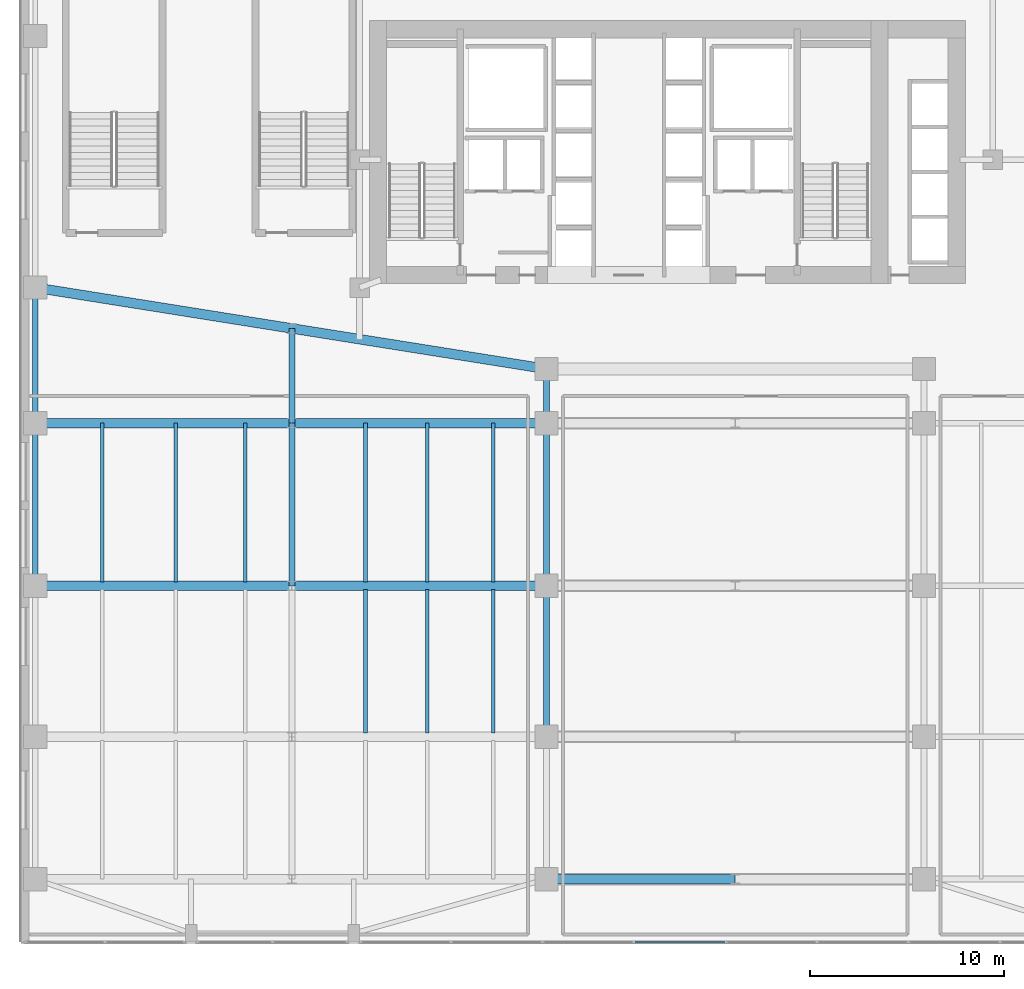
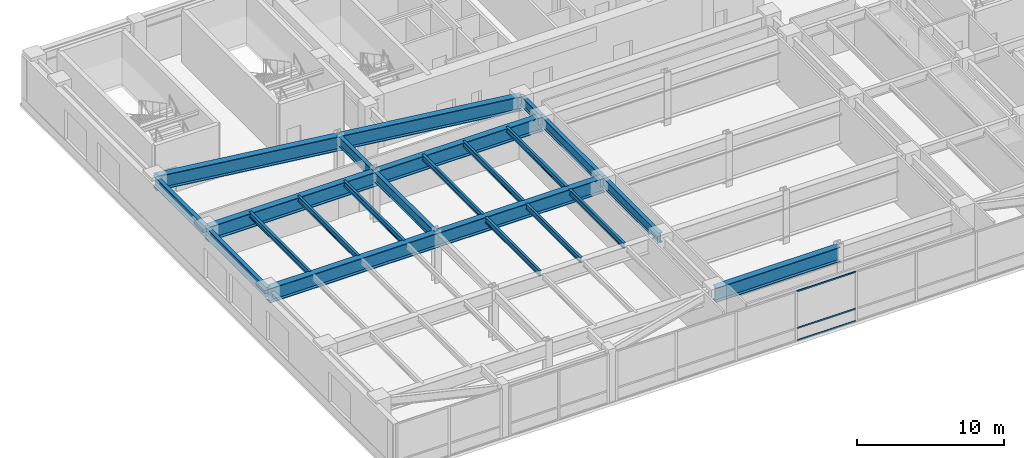
# One storey, part 8 of 27: 20 beams, 3 members, 1 element without a shape of its own.
"""IFC4 building model written with IfcOpenShell, lengths in metres."""

from ifc_helpers import new_model, si_unit, direction, frame, origin, origin_2d, place, context, subcontext, project, spatial, hollow_rectangle, i_section, extrude, source, transform, mapped, material, layer, layer_set, material_profile, profile_set, type_object, type_shapes, element, aggregate, save


model = new_model("IFC4")

# Units and contexts
model_context = context("Model", 3, precision=1e-05, world=origin(), true_north=direction((0.0, 1.0)))
body_context = subcontext(model_context, "Body", "Model", "MODEL_VIEW")
ifc_project = project(units=[si_unit("LENGTHUNIT", "METRE"), si_unit("AREAUNIT", "SQUARE_METRE"), si_unit("VOLUMEUNIT", "CUBIC_METRE"), si_unit("PLANEANGLEUNIT", "RADIAN"), si_unit("MASSUNIT", "GRAM", prefix="KILO")], contexts=[model_context])

# Site, building, storey
site_placement = place(None, origin())
site = spatial("IfcSite", under=ifc_project, at=site_placement, CompositionType="ELEMENT")
building_placement = place(site_placement, origin())
building = spatial("IfcBuilding", under=site, at=building_placement, Name="Tolvann Quenvar Hotel", CompositionType="ELEMENT")
storey_placement = place(building_placement, frame((0.0, 0.0, 22.39990234375)))
storey = spatial("IfcBuildingStorey", under=building, at=storey_placement, Name="L04", CompositionType="ELEMENT", Elevation=22.39990234375)

# Beams
ifc_material_1 = material(Name="Steel Grade 350", Category="steel")
ifc_material_profile_1 = material_profile(ifc_material_1, i_section(OverallWidth=0.300048828125, OverallDepth=0.81591796875, WebThickness=0.010009765625, FlangeThickness=0.028076171875, at=origin_2d()), Name="800WB192")
ifc_profile_set_1 = profile_set([ifc_material_profile_1], Name="Steel Grade 350")
beam_type_1 = type_object("IfcBeamType", Name="BM_GIRD_800WB192", PredefinedType="BEAM", material=ifc_profile_set_1)
shared_shape_1 = source(origin(), body_context, "Body", "SweptSolid", [
    extrude(i_section(OverallWidth=0.300048828125, OverallDepth=0.81591796875, WebThickness=0.010009765625, FlangeThickness=0.028076171875, at=origin_2d()), origin(), (0.0, 0.0, 1.0), 7.800048828125),
])
beam_1_placement = place(storey_placement, frame((18.75, 8.199951171875, 3.732177734375), z_axis=(0.0, 1.0, 0.0), x_axis=(-1.0, 0.0, 0.0)))
element("IfcBeam", 1, at=beam_1_placement, inside=storey, type_object=beam_type_1, Name="BM-L04-NS-APW-1", PredefinedType="BEAM", context=body_context, shape_type="MappedRepresentation", body=[
    mapped(shared_shape_1, transform((0.0, 0.0, 0.0), x_axis=(1.0, 0.0, 0.0), y_axis=(0.0, 1.0, 0.0), z_axis=(0.0, 0.0, 1.0), scale=1.0)),
])
shared_shape_2 = source(origin(), body_context, "Body", "SweptSolid", [
    extrude(i_section(OverallWidth=0.300048828125, OverallDepth=0.81591796875, WebThickness=0.010009765625, FlangeThickness=0.028076171875, at=origin_2d()), origin(), (0.0, 0.0, 1.0), 8.39990234375),
])
for number, where, z_axis, x_axis, name in (
    (2, (5.60009765625, 16.0, 3.732177734375), (0.0, 1.0, 0.0), (-1.0, 0.0, 0.0), "BM-L04-NS-PBAL-2"),
    (3, (-7.64990234375, 16.0, 3.732177734375), (0.0, 1.0, 0.0), (-1.0, 0.0, 0.0), "BM-L04-NS-A-2"),
    (4, (18.75, 16.0, 3.732177734375), (0.0, 1.0, 0.0), (-1.0, 0.0, 0.0), "BM-L04-NS-APW-2"),
):
    element("IfcBeam", number, at=place(storey_placement, frame(where, z_axis=z_axis, x_axis=x_axis)), inside=storey, type_object=beam_type_1, Name=name, PredefinedType="BEAM", context=body_context, shape_type="MappedRepresentation", body=[
        mapped(shared_shape_2, transform((0.0, 0.0, 0.0), x_axis=(1.0, 0.0, 0.0), y_axis=(0.0, 1.0, 0.0), z_axis=(0.0, 0.0, 1.0), scale=1.0)),
    ])
shared_shape_3 = source(origin(), body_context, "Body", "SweptSolid", [
    extrude(i_section(OverallWidth=0.300048828125, OverallDepth=0.81591796875, WebThickness=0.010009765625, FlangeThickness=0.028076171875, at=origin_2d()), origin(), (0.0, 0.0, 1.0), 2.800048828125),
])
beam_2_placement = place(storey_placement, frame((18.75, 24.39990234375, 3.732177734375), z_axis=(0.0, 1.0, 0.0), x_axis=(-1.0, 0.0, 0.0)))
element("IfcBeam", 5, at=beam_2_placement, inside=storey, type_object=beam_type_1, Name="BM-L04-NS-APW-3", PredefinedType="BEAM", context=body_context, shape_type="MappedRepresentation", body=[
    mapped(shared_shape_3, transform((0.0, 0.0, 0.0), x_axis=(1.0, 0.0, 0.0), y_axis=(0.0, 1.0, 0.0), z_axis=(0.0, 0.0, 1.0), scale=1.0)),
])
ifc_material_profile_2 = material_profile(ifc_material_1, i_section(OverallWidth=0.5, OverallDepth=1.199951171875, WebThickness=0.01611328125, FlangeThickness=0.0400390625, at=origin_2d()), Name="1200WB455")
ifc_profile_set_2 = profile_set([ifc_material_profile_2], Name="Steel Grade 350")
beam_type_2 = type_object("IfcBeamType", Name="BM_TG_1200WB455", PredefinedType="USERDEFINED", material=ifc_profile_set_2)
shared_shape_4 = source(origin(), body_context, "Body", "SweptSolid", [
    extrude(i_section(OverallWidth=0.5, OverallDepth=1.199951171875, WebThickness=0.01611328125, FlangeThickness=0.0400390625, at=origin_2d()), origin(), (0.0, 0.0, 1.0), 9.75),
])
beam_3_placement = place(storey_placement, frame((18.75, 0.85009765625, 3.5400390625), z_axis=(1.0, 0.0, 0.0), x_axis=(0.0, 1.0, 0.0)))
element("IfcBeam", 6, at=beam_3_placement, inside=storey, type_object=beam_type_2, Name="BM-L04-ATIE-1A", ObjectType="TRANSFER GIRDER", PredefinedType="USERDEFINED", context=body_context, shape_type="MappedRepresentation", body=[
    mapped(shared_shape_4, transform((0.0, 0.0, 0.0), x_axis=(1.0, 0.0, 0.0), y_axis=(0.0, 1.0, 0.0), z_axis=(0.0, 0.0, 1.0), scale=1.0)),
])
shared_shape_5 = source(origin(), body_context, "Body", "SweptSolid", [
    extrude(i_section(OverallWidth=0.300048828125, OverallDepth=0.81591796875, WebThickness=0.010009765625, FlangeThickness=0.028076171875, at=origin_2d()), origin(), (0.0, 0.0, 1.0), 7.0),
])
beam_4_placement = place(storey_placement, frame((-7.64990234375, 24.39990234375, 3.732177734375), z_axis=(0.0, 1.0, 0.0), x_axis=(-1.0, 0.0, 0.0)))
element("IfcBeam", 7, at=beam_4_placement, inside=storey, type_object=beam_type_1, Name="BM-L04-NS-A-3", PredefinedType="BEAM", context=body_context, shape_type="MappedRepresentation", body=[
    mapped(shared_shape_5, transform((0.0, 0.0, 0.0), x_axis=(1.0, 0.0, 0.0), y_axis=(0.0, 1.0, 0.0), z_axis=(0.0, 0.0, 1.0), scale=1.0)),
])
ifc_material_profile_3 = material_profile(ifc_material_1, i_section(OverallWidth=0.18994140625, OverallDepth=0.4541015625, WebThickness=0.008544921875, FlangeThickness=0.0126953125, FilletRadius=0.011474609375, at=origin_2d()), Name="460UB67")
ifc_profile_set_3 = profile_set([ifc_material_profile_3], Name="Steel Grade 350")
beam_type_3 = type_object("IfcBeamType", Name="BM_JOIST_460UB67", PredefinedType="JOIST", material=ifc_profile_set_3)
shared_shape_6 = source(origin(), body_context, "Body", "SweptSolid", [
    extrude(i_section(OverallWidth=0.18994140625, OverallDepth=0.4541015625, WebThickness=0.008544921875, FlangeThickness=0.0126953125, FilletRadius=0.011474609375, at=origin_2d()), origin(), (0.0, 0.0, 1.0), 7.429931640625),
])
for number, where, z_axis, x_axis, name in (
    (8, (9.39990234375, 8.385009765625, 3.9130859375), (0.0, 1.0, 0.0), (-1.0, 0.0, 0.0), "BJ-L04-94-82"),
    (9, (12.60009765625, 8.385009765625, 3.9130859375), (0.0, 1.0, 0.0), (-1.0, 0.0, 0.0), "BJ-L04-126-82"),
    (10, (16.0, 8.385009765625, 3.9130859375), (0.0, 1.0, 0.0), (-1.0, 0.0, 0.0), "BJ-L04-160-82"),
):
    element("IfcBeam", number, at=place(storey_placement, frame(where, z_axis=z_axis, x_axis=x_axis)), inside=storey, type_object=beam_type_3, Name=name, PredefinedType="JOIST", context=body_context, shape_type="MappedRepresentation", body=[
        mapped(shared_shape_6, transform((0.0, 0.0, 0.0), x_axis=(1.0, 0.0, 0.0), y_axis=(0.0, 1.0, 0.0), z_axis=(0.0, 0.0, 1.0), scale=1.0)),
    ])
shared_shape_7 = source(origin(), body_context, "Body", "SweptSolid", [
    extrude(i_section(OverallWidth=0.18994140625, OverallDepth=0.4541015625, WebThickness=0.008544921875, FlangeThickness=0.0126953125, FilletRadius=0.011474609375, at=origin_2d()), origin(), (0.0, 0.0, 1.0), 8.21484375),
])
type_shapes(beam_type_3, [shared_shape_6, shared_shape_7])
for number, where, z_axis, x_axis, name in (
    (11, (-4.199951171875, 16.18505859375, 3.9130859375), (0.0, 1.0, 0.0), (-1.0, 0.0, 0.0), "BJ-L04--42-160"),
    (12, (-0.39990234375, 16.18505859375, 3.9130859375), (0.0, 1.0, 0.0), (-1.0, 0.0, 0.0), "BJ-L04--4-160"),
    (13, (3.199951171875, 16.18505859375, 3.9130859375), (0.0, 1.0, 0.0), (-1.0, 0.0, 0.0), "BJ-L04-32-160"),
    (14, (9.39990234375, 16.18505859375, 3.9130859375), (0.0, 1.0, 0.0), (-1.0, 0.0, 0.0), "BJ-L04-94-160"),
    (15, (12.60009765625, 16.18505859375, 3.9130859375), (0.0, 1.0, 0.0), (-1.0, 0.0, 0.0), "BJ-L04-126-160"),
    (16, (16.0, 16.18505859375, 3.9130859375), (0.0, 1.0, 0.0), (-1.0, 0.0, 0.0), "BJ-L04-160-160"),
):
    element("IfcBeam", number, at=place(storey_placement, frame(where, z_axis=z_axis, x_axis=x_axis)), inside=storey, type_object=beam_type_3, Name=name, PredefinedType="JOIST", context=body_context, shape_type="MappedRepresentation", body=[
        mapped(shared_shape_7, transform((0.0, 0.0, 0.0), x_axis=(1.0, 0.0, 0.0), y_axis=(0.0, 1.0, 0.0), z_axis=(0.0, 0.0, 1.0), scale=1.0)),
    ])
shared_shape_8 = source(origin(), body_context, "Body", "SweptSolid", [
    extrude(i_section(OverallWidth=0.5, OverallDepth=1.199951171875, WebThickness=0.01611328125, FlangeThickness=0.0400390625, at=origin_2d()), origin(), (0.0, 0.0, 1.0), 26.39990234375),
])
for number, where, z_axis, x_axis, name in (
    (17, (-7.64990234375, 16.0, 3.5400390625), (1.0, 0.0, 0.0), (0.0, 1.0, 0.0), "Ballroom Clear-Span Girder L04-3"),
    (18, (-7.64990234375, 24.39990234375, 3.5400390625), (1.0, 0.0, 0.0), (0.0, 1.0, 0.0), "Ballroom Clear-Span Girder L04-4"),
):
    element("IfcBeam", number, at=place(storey_placement, frame(where, z_axis=z_axis, x_axis=x_axis)), inside=storey, type_object=beam_type_2, Name=name, ObjectType="TRANSFER GIRDER", PredefinedType="USERDEFINED", context=body_context, shape_type="MappedRepresentation", body=[
        mapped(shared_shape_8, transform((0.0, 0.0, 0.0), x_axis=(1.0, 0.0, 0.0), y_axis=(0.0, 1.0, 0.0), z_axis=(0.0, 0.0, 1.0), scale=1.0)),
    ])
shared_shape_9 = source(origin(), body_context, "Body", "SweptSolid", [
    extrude(i_section(OverallWidth=0.5, OverallDepth=1.199951171875, WebThickness=0.01611328125, FlangeThickness=0.0400390625, at=origin_2d()), origin(), (0.0, 0.0, 1.0), 26.73193359375),
])
type_shapes(beam_type_2, [shared_shape_4, shared_shape_8, shared_shape_9])
beam_5_placement = place(storey_placement, frame((-7.64990234375, 31.39990234375, 3.5400390625), z_axis=(0.987580499575, -0.157113834078, 0.0), x_axis=(0.157113834078, 0.987580499575, 0.0)))
element("IfcBeam", 19, at=beam_5_placement, inside=storey, type_object=beam_type_2, Name="Ballroom Clear-Span Girder L04-5", ObjectType="TRANSFER GIRDER", PredefinedType="USERDEFINED", context=body_context, shape_type="MappedRepresentation", body=[
    mapped(shared_shape_9, transform((0.0, 0.0, 0.0), x_axis=(1.0, 0.0, 0.0), y_axis=(0.0, 1.0, 0.0), z_axis=(0.0, 0.0, 1.0), scale=1.0)),
])
shared_shape_10 = source(origin(), body_context, "Body", "SweptSolid", [
    extrude(i_section(OverallWidth=0.300048828125, OverallDepth=0.81591796875, WebThickness=0.010009765625, FlangeThickness=0.028076171875, at=origin_2d()), origin(), (0.0, 0.0, 1.0), 4.89208984375),
])
type_shapes(beam_type_1, [shared_shape_1, shared_shape_2, shared_shape_3, shared_shape_5, shared_shape_10])
beam_6_placement = place(storey_placement, frame((5.60009765625, 24.39990234375, 3.732177734375), z_axis=(0.0, 1.0, 0.0), x_axis=(-1.0, 0.0, 0.0)))
element("IfcBeam", 20, at=beam_6_placement, inside=storey, type_object=beam_type_1, Name="BM-L04-NS-PBAL-3", PredefinedType="BEAM", context=body_context, shape_type="MappedRepresentation", body=[
    mapped(shared_shape_10, transform((0.0, 0.0, 0.0), x_axis=(1.0, 0.0, 0.0), y_axis=(0.0, 1.0, 0.0), z_axis=(0.0, 0.0, 1.0), scale=1.0)),
])

# Curtain wall, members
ifc_material_2 = material(Name="Thermally broken anodised architectural aluminium 6063-T6 and laminated low-E glass", Category="aluminium")
ifc_layer = layer(ifc_material_2, 0.179931640625)
ifc_layer_set = layer_set([ifc_layer], Name="Thermally broken anodised architectural aluminium 6063-T6 and laminated low-E glass")
curtain_wall_type = type_object("IfcCurtainWallType", Name="CW_SYS_BALL_02", PredefinedType="USERDEFINED", material=ifc_layer_set)
curtain_wall_placement = place(storey_placement, origin())
curtain_wall = element("IfcCurtainWall", 21, at=curtain_wall_placement, inside=storey, type_object=curtain_wall_type, Name="Curtain Wall CW-BALL-02 (CWR-L04-E04-S3)", ObjectType="UNITISED CURTAIN WALL", PredefinedType="USERDEFINED")
ifc_material_3 = material(Name="Anodised architectural aluminium 6063-T6 framing", Category="aluminium")
ifc_material_profile_4 = material_profile(ifc_material_3, hollow_rectangle(XDim=0.06005859375, YDim=0.1201171875, WallThickness=0.00341796875, at=origin_2d()), Name="120x60x3.5RHS")
ifc_profile_set_4 = profile_set([ifc_material_profile_4], Name="Anodised architectural aluminium 6063-T6 framing")
member_type = type_object("IfcMemberType", Name="CW_TRAN_120x60", PredefinedType="USERDEFINED", material=ifc_profile_set_4)
shared_shape_11 = source(origin(), body_context, "Body", "SweptSolid", [
    extrude(hollow_rectangle(XDim=0.06005859375, YDim=0.1201171875, WallThickness=0.00341796875, at=origin_2d()), origin(), (0.0, 0.0, 1.0), 4.654052734375),
])
type_shapes(member_type, [shared_shape_11])
member_1_placement = place(storey_placement, frame((23.31103515625, -2.409912109375, 0.030029296875), z_axis=(1.0, 0.0, 0.0), x_axis=(0.0, 1.0, 0.0)))
member_1 = element("IfcMember", 22, at=member_1_placement, type_object=member_type, Name="CW-BALL-02 transom 4.1", ObjectType="TRANSOM", PredefinedType="USERDEFINED", context=body_context, shape_type="MappedRepresentation", body=[
    mapped(shared_shape_11, transform((0.0, 0.0, 0.0), x_axis=(1.0, 0.0, 0.0), y_axis=(0.0, 1.0, 0.0), z_axis=(0.0, 0.0, 1.0), scale=1.0)),
])
member_2_placement = place(storey_placement, frame((23.31103515625, -2.409912109375, 1.050048828125), z_axis=(1.0, 0.0, 0.0), x_axis=(0.0, 1.0, 0.0)))
member_2 = element("IfcMember", 23, at=member_2_placement, type_object=member_type, Name="CW-BALL-02 transom 4.2", ObjectType="TRANSOM", PredefinedType="USERDEFINED", context=body_context, shape_type="MappedRepresentation", body=[
    mapped(shared_shape_11, transform((0.0, 0.0, 0.0), x_axis=(1.0, 0.0, 0.0), y_axis=(0.0, 1.0, 0.0), z_axis=(0.0, 0.0, 1.0), scale=1.0)),
])
member_3_placement = place(storey_placement, frame((23.31103515625, -2.409912109375, 4.110107421875), z_axis=(1.0, 0.0, 0.0), x_axis=(0.0, 1.0, 0.0)))
member_3 = element("IfcMember", 24, at=member_3_placement, type_object=member_type, Name="CW-BALL-02 transom 4.3", ObjectType="TRANSOM", PredefinedType="USERDEFINED", context=body_context, shape_type="MappedRepresentation", body=[
    mapped(shared_shape_11, transform((0.0, 0.0, 0.0), x_axis=(1.0, 0.0, 0.0), y_axis=(0.0, 1.0, 0.0), z_axis=(0.0, 0.0, 1.0), scale=1.0)),
])
aggregate(curtain_wall, [member_1, member_2, member_3])

save(model, "model.ifc")
